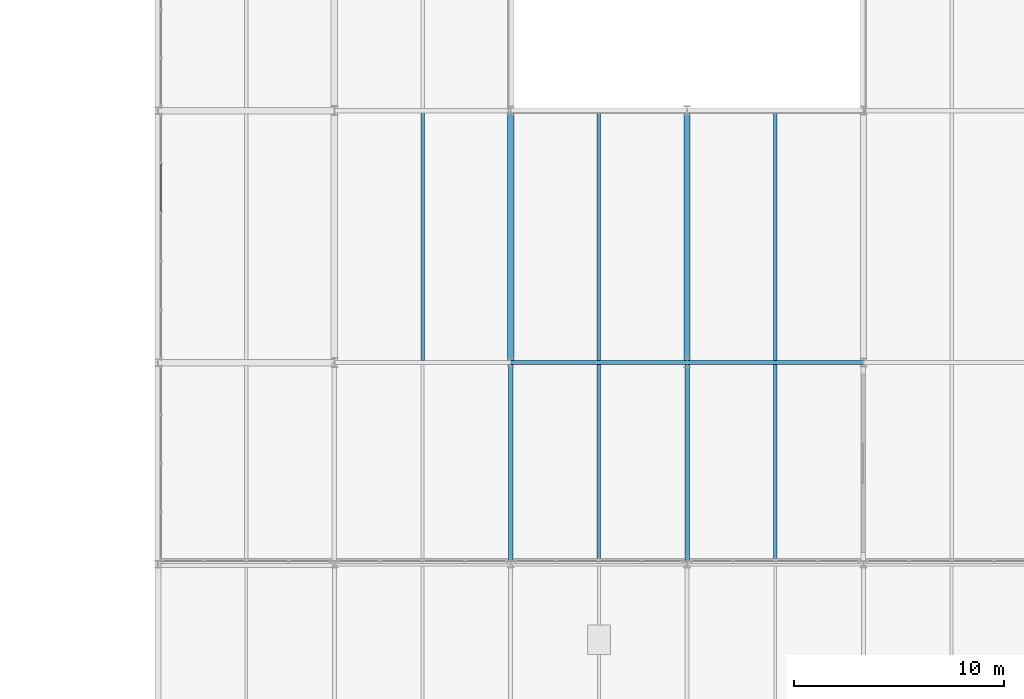
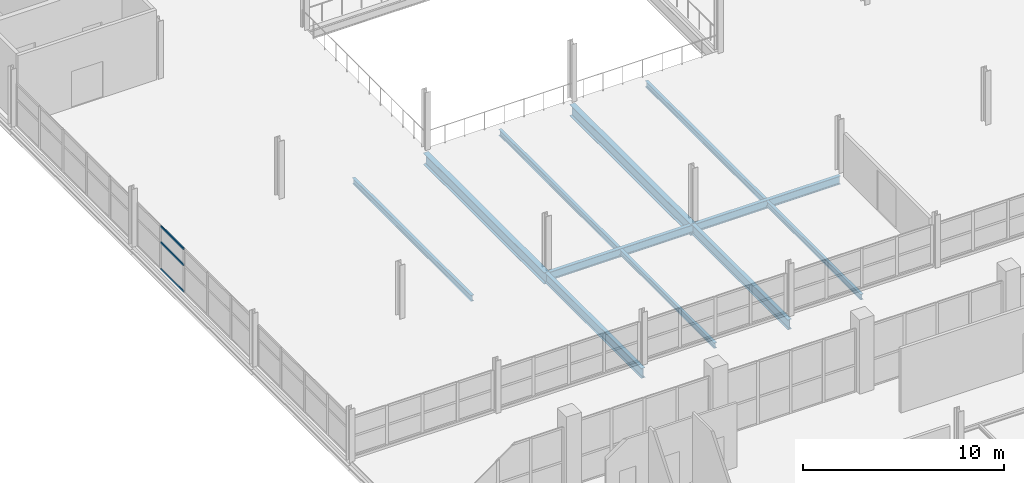
# One storey, part 28 of 103: 11 beams, 3 members, 1 element without a shape of its own.
"""IFC4 building model written with IfcOpenShell, lengths in metres."""

from ifc_helpers import new_model, si_unit, direction, frame, origin, origin_2d, place, context, subcontext, project, spatial, hollow_rectangle, i_section, extrude, material, material_profile, profile_set, type_object, element, aggregate, save


model = new_model("IFC4")

# Units and contexts
model_context = context("Model", 3, precision=1e-05, world=origin(), true_north=direction((0.0, 1.0)))
body_context = subcontext(model_context, "Body", "Model", "MODEL_VIEW")
ifc_project = project(units=[si_unit("LENGTHUNIT", "METRE"), si_unit("AREAUNIT", "SQUARE_METRE"), si_unit("VOLUMEUNIT", "CUBIC_METRE"), si_unit("PLANEANGLEUNIT", "RADIAN"), si_unit("MASSUNIT", "GRAM", prefix="KILO")], contexts=[model_context])

# Site, building, storey
site_placement = place(None, origin())
site = spatial("IfcSite", under=ifc_project, at=site_placement, CompositionType="ELEMENT")
building_placement = place(site_placement, origin())
building = spatial("IfcBuilding", under=site, at=building_placement, Name="Veltarok Museum of Natural Sciences", CompositionType="ELEMENT")
storey_placement = place(building_placement, frame((0.0, 0.0, 21.89990234375)))
storey = spatial("IfcBuildingStorey", under=building, at=storey_placement, Name="L04", CompositionType="ELEMENT", Elevation=21.89990234375)

# Curtain wall, members
ifc_material_1 = material(Name="Low-iron triple insulated glass", Category="glass")
curtain_wall_type = type_object("IfcCurtainWallType", Name="Curtain Wall System CW-V2W-L04-0-1166x264 (CW-V2W L04 1166x264cm)", PredefinedType="NOTDEFINED", material=ifc_material_1)
curtain_wall_placement = place(storey_placement, origin())
curtain_wall = element("IfcCurtainWall", 1, at=curtain_wall_placement, inside=storey, type_object=curtain_wall_type, Name="Curtain Wall CW-V2W-L04-0-1166x264 CW-0148", PredefinedType="NOTDEFINED")
ifc_material_2 = material(Name="Thermally broken anodised aluminium", Category="aluminium")
ifc_material_profile_1 = material_profile(ifc_material_2, hollow_rectangle(XDim=0.06005859375, YDim=0.1201171875, WallThickness=0.0048828125, at=origin_2d()), Name="CW TRANSOM 60x120x5")
ifc_profile_set_1 = profile_set([ifc_material_profile_1], Name="Thermally broken anodised aluminium")
member_type = type_object("IfcMemberType", Name="Curtain Wall Horizontal Transom 60x120x5", PredefinedType="USERDEFINED", material=ifc_profile_set_1)
member_1_placement = place(storey_placement, frame((40.14990234375, 43.196044921875, 0.028076171875), z_axis=(0.0, 1.0, 0.0), x_axis=(-1.0, 0.0, 0.0)))
member_1 = element("IfcMember", 2, at=member_1_placement, type_object=member_type, Name="CW-V2W-L04-0-1166x264 transom 4.1", ObjectType="TRANSOM", PredefinedType="USERDEFINED", context=body_context, shape_type="SweptSolid", body=[
    extrude(hollow_rectangle(XDim=0.06005859375, YDim=0.1201171875, WallThickness=0.0048828125, at=origin_2d()), origin(), (0.0, 0.0, 1.0), 2.27197265625),
])
member_2_placement = place(storey_placement, frame((40.14990234375, 43.196044921875, 1.648193359375), z_axis=(0.0, 1.0, 0.0), x_axis=(-1.0, 0.0, 0.0)))
member_2 = element("IfcMember", 3, at=member_2_placement, type_object=member_type, Name="CW-V2W-L04-0-1166x264 transom 4.2", ObjectType="TRANSOM", PredefinedType="USERDEFINED", context=body_context, shape_type="SweptSolid", body=[
    extrude(hollow_rectangle(XDim=0.06005859375, YDim=0.1201171875, WallThickness=0.0048828125, at=origin_2d()), origin(), (0.0, 0.0, 1.0), 2.27197265625),
])
member_3_placement = place(storey_placement, frame((40.14990234375, 43.196044921875, 2.610107421875), z_axis=(0.0, 1.0, 0.0), x_axis=(-1.0, 0.0, 0.0)))
member_3 = element("IfcMember", 4, at=member_3_placement, type_object=member_type, Name="CW-V2W-L04-0-1166x264 transom 4.3", ObjectType="TRANSOM", PredefinedType="USERDEFINED", context=body_context, shape_type="SweptSolid", body=[
    extrude(hollow_rectangle(XDim=0.06005859375, YDim=0.1201171875, WallThickness=0.0048828125, at=origin_2d()), origin(), (0.0, 0.0, 1.0), 2.27197265625),
])
aggregate(curtain_wall, [member_1, member_2, member_3])

# Beams
ifc_material_3 = material(Name="Steel S355J2", Category="steel")
ifc_material_profile_2 = material_profile(ifc_material_3, i_section(OverallWidth=0.169921875, OverallDepth=0.360107421875, WebThickness=0.008056640625, FlangeThickness=0.0126953125, FilletRadius=0.01806640625, at=origin_2d()), Name="IPE 360")
ifc_profile_set_2 = profile_set([ifc_material_profile_2], Name="Steel S355J2")
beam_type_1 = type_object("IfcBeamType", Name="Long-Bay Composite Joist IPE 360", PredefinedType="JOIST", material=ifc_profile_set_2)
for number, where, z_axis, x_axis, name in (
    (5, (52.60009765625, 36.097900390625, -0.429931640625), (0.0, 1.0, 0.0), (-1.0, 0.0, 0.0), "Secondary Joist BM-J01 L04 6-7/E-F.1"),
    (6, (61.0, 36.097900390625, -0.429931640625), (0.0, 1.0, 0.0), (-1.0, 0.0, 0.0), "Secondary Joist BM-J01 L04 7-8/E-F.1"),
    (7, (69.39990234375, 36.097900390625, -0.429931640625), (0.0, 1.0, 0.0), (-1.0, 0.0, 0.0), "Secondary Joist BM-J01 L04 8-9/E-F.1"),
):
    element("IfcBeam", number, at=place(storey_placement, frame(where, z_axis=z_axis, x_axis=x_axis)), inside=storey, type_object=beam_type_1, Name=name, PredefinedType="JOIST", context=body_context, shape_type="SweptSolid", body=[
        extrude(i_section(OverallWidth=0.169921875, OverallDepth=0.360107421875, WebThickness=0.008056640625, FlangeThickness=0.0126953125, FilletRadius=0.01806640625, at=origin_2d()), origin(), (0.0, 0.0, 1.0), 11.80419921875),
    ])
ifc_material_profile_3 = material_profile(ifc_material_3, i_section(OverallWidth=0.300048828125, OverallDepth=0.699951171875, WebThickness=0.01708984375, FlangeThickness=0.031982421875, FilletRadius=0.027099609375, at=origin_2d()), Name="HEB 700")
ifc_profile_set_3 = profile_set([ifc_material_profile_3], Name="Steel S355J2")
beam_type_2 = type_object("IfcBeamType", Name="Long-Span Hall Girder HEB 700", PredefinedType="BEAM", material=ifc_profile_set_3)
for number, where, z_axis, x_axis, name in (
    (8, (56.800048828125, 36.0, -0.599853515625), (0.0, 1.0, 0.0), (-1.0, 0.0, 0.0), "Beam BM-G01 L04 7/E-F"),
    (9, (65.199951171875, 36.0, -0.599853515625), (0.0, 1.0, 0.0), (-1.0, 0.0, 0.0), "Beam BM-G01 L04 8/E-F"),
):
    element("IfcBeam", number, at=place(storey_placement, frame(where, z_axis=z_axis, x_axis=x_axis)), inside=storey, type_object=beam_type_2, Name=name, PredefinedType="BEAM", context=body_context, shape_type="SweptSolid", body=[
        extrude(i_section(OverallWidth=0.300048828125, OverallDepth=0.699951171875, WebThickness=0.01708984375, FlangeThickness=0.031982421875, FilletRadius=0.027099609375, at=origin_2d()), origin(), (0.0, 0.0, 1.0), 12.0),
    ])
ifc_material_profile_4 = material_profile(ifc_material_3, i_section(OverallWidth=0.159912109375, OverallDepth=0.330078125, WebThickness=0.007568359375, FlangeThickness=0.011474609375, FilletRadius=0.01806640625, at=origin_2d()), Name="IPE 330")
ifc_profile_set_4 = profile_set([ifc_material_profile_4], Name="Steel S355J2")
beam_type_3 = type_object("IfcBeamType", Name="Medium-Bay Composite Joist IPE 330", PredefinedType="JOIST", material=ifc_profile_set_4)
for number, where, z_axis, x_axis, name in (
    (10, (61.0, 26.498046875, -0.414794921875), (0.0, 1.0, 0.0), (-1.0, 0.0, 0.0), "Secondary Joist BM-J02 L04 7-8/D-E.1"),
    (11, (69.39990234375, 26.498046875, -0.414794921875), (0.0, 1.0, 0.0), (-1.0, 0.0, 0.0), "Secondary Joist BM-J02 L04 8-9/D-E.1"),
):
    element("IfcBeam", number, at=place(storey_placement, frame(where, z_axis=z_axis, x_axis=x_axis)), inside=storey, type_object=beam_type_3, Name=name, PredefinedType="JOIST", context=body_context, shape_type="SweptSolid", body=[
        extrude(i_section(OverallWidth=0.159912109375, OverallDepth=0.330078125, WebThickness=0.007568359375, FlangeThickness=0.011474609375, FilletRadius=0.01806640625, at=origin_2d()), origin(), (0.0, 0.0, 1.0), 9.404052734375),
    ])
ifc_material_profile_5 = material_profile(ifc_material_3, i_section(OverallWidth=0.219970703125, OverallDepth=0.60009765625, WebThickness=0.011962890625, FlangeThickness=0.01904296875, FilletRadius=0.02392578125, at=origin_2d()), Name="IPE 600")
ifc_profile_set_5 = profile_set([ifc_material_profile_5], Name="Steel S355J2")
beam_type_4 = type_object("IfcBeamType", Name="Primary Museum Girder IPE 600", PredefinedType="BEAM", material=ifc_profile_set_5)
for number, where, z_axis, x_axis, name in (
    (12, (56.800048828125, 26.39990234375, -0.5498046875), (0.0, 1.0, 0.0), (-1.0, 0.0, 0.0), "Beam BM-G02 L04 7/D-E"),
    (13, (65.199951171875, 26.39990234375, -0.5498046875), (0.0, 1.0, 0.0), (-1.0, 0.0, 0.0), "Beam BM-G02 L04 8/D-E"),
):
    element("IfcBeam", number, at=place(storey_placement, frame(where, z_axis=z_axis, x_axis=x_axis)), inside=storey, type_object=beam_type_4, Name=name, PredefinedType="BEAM", context=body_context, shape_type="SweptSolid", body=[
        extrude(i_section(OverallWidth=0.219970703125, OverallDepth=0.60009765625, WebThickness=0.011962890625, FlangeThickness=0.01904296875, FilletRadius=0.02392578125, at=origin_2d()), origin(), (0.0, 0.0, 1.0), 9.60009765625),
    ])
ifc_material_profile_6 = material_profile(ifc_material_3, i_section(OverallWidth=0.199951171875, OverallDepth=0.5, WebThickness=0.01025390625, FlangeThickness=0.01611328125, FilletRadius=0.02099609375, at=origin_2d()), Name="IPE 500")
ifc_profile_set_6 = profile_set([ifc_material_profile_6], Name="Steel S355J2")
beam_type_5 = type_object("IfcBeamType", Name="Standard Gallery Girder IPE 500", PredefinedType="BEAM", material=ifc_profile_set_6)
beam_1_placement = place(storey_placement, frame((56.800048828125, 36.0, -0.5), z_axis=(1.0, 0.0, 0.0), x_axis=(0.0, 1.0, 0.0)))
element("IfcBeam", 14, at=beam_1_placement, inside=storey, type_object=beam_type_5, Name="Beam BM-G04 L04 7-8/E", PredefinedType="BEAM", context=body_context, shape_type="SweptSolid", body=[
    extrude(i_section(OverallWidth=0.199951171875, OverallDepth=0.5, WebThickness=0.01025390625, FlangeThickness=0.01611328125, FilletRadius=0.02099609375, at=origin_2d()), origin(), (0.0, 0.0, 1.0), 8.39990234375),
])
beam_2_placement = place(storey_placement, frame((65.199951171875, 36.0, -0.5), z_axis=(1.0, 0.0, 0.0), x_axis=(0.0, 1.0, 0.0)))
element("IfcBeam", 15, at=beam_2_placement, inside=storey, type_object=beam_type_5, Name="Beam BM-G04 L04 8-9/E", PredefinedType="BEAM", context=body_context, shape_type="SweptSolid", body=[
    extrude(i_section(OverallWidth=0.199951171875, OverallDepth=0.5, WebThickness=0.01025390625, FlangeThickness=0.01611328125, FilletRadius=0.02099609375, at=origin_2d()), origin(), (0.0, 0.0, 1.0), 8.400146484375),
])

save(model, "model.ifc")
